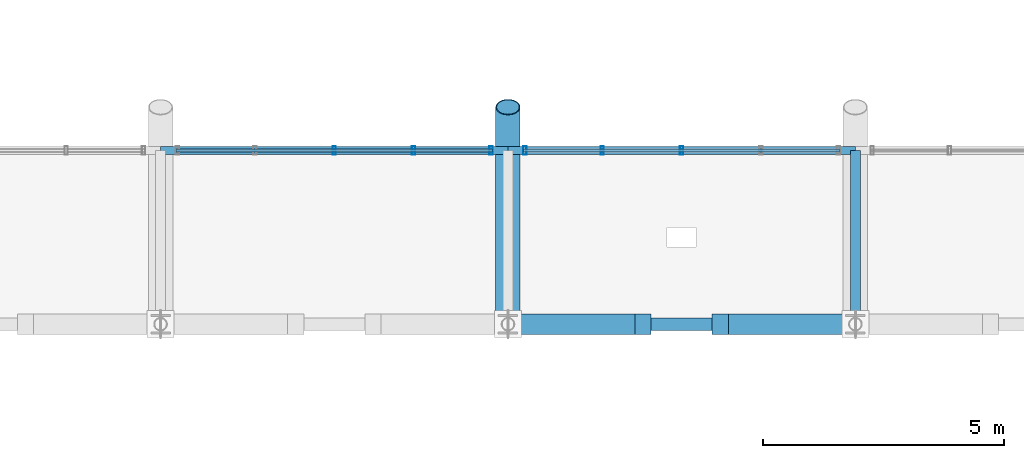
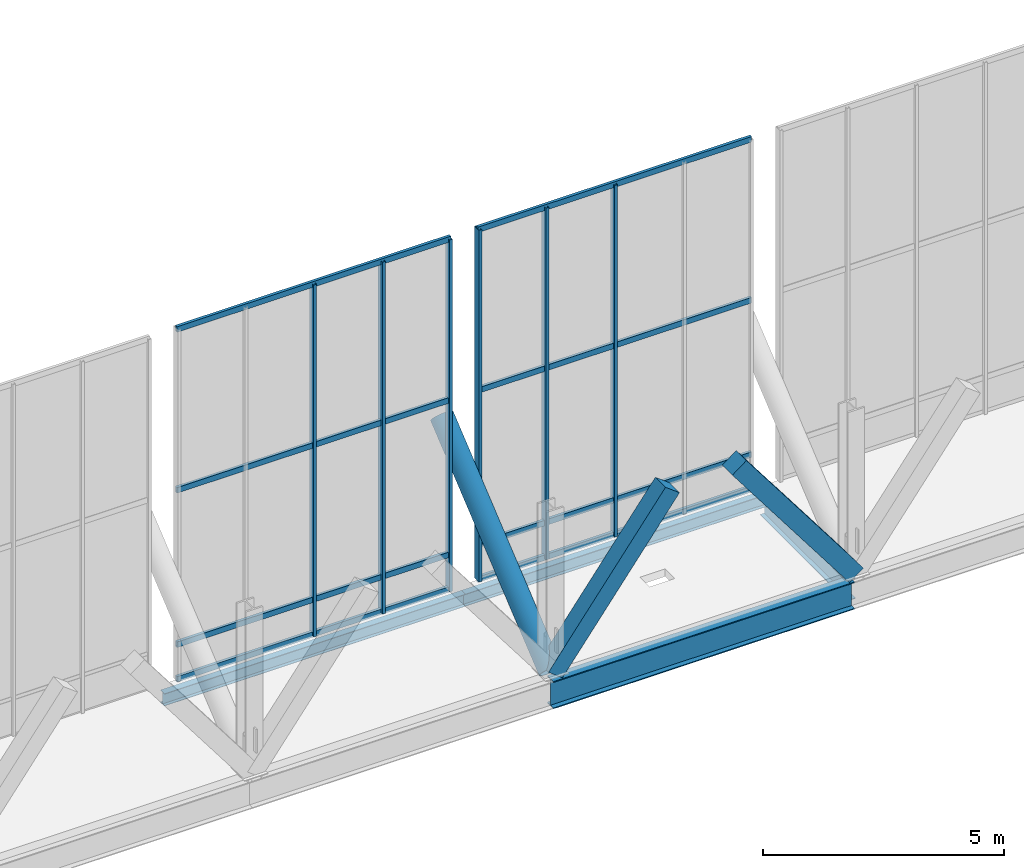
# One storey, part 31 of 102: 17 members, 4 beams, 2 elements without a shape of their own.
"""IFC4 building model written with IfcOpenShell, lengths in metres."""

from ifc_helpers import new_model, si_unit, direction, frame, origin, origin_2d, place, context, subcontext, project, spatial, rectangle, hollow_rectangle, hollow_circle, i_section, extrude, material, material_profile, profile_set, type_object, element, aggregate, save


model = new_model("IFC4")

# Units and contexts
model_context = context("Model", 3, precision=1e-05, world=origin(), true_north=direction((0.0, 1.0)))
body_context = subcontext(model_context, "Body", "Model", "MODEL_VIEW")
ifc_project = project(units=[si_unit("LENGTHUNIT", "METRE"), si_unit("AREAUNIT", "SQUARE_METRE"), si_unit("VOLUMEUNIT", "CUBIC_METRE"), si_unit("PLANEANGLEUNIT", "RADIAN"), si_unit("MASSUNIT", "GRAM", prefix="KILO")], contexts=[model_context])

# Site, building, storey
site_placement = place(None, origin())
site = spatial("IfcSite", under=ifc_project, at=site_placement, CompositionType="ELEMENT")
building_placement = place(site_placement, origin())
building = spatial("IfcBuilding", under=site, at=building_placement, Name="Yarey Park Central Fire Station", CompositionType="ELEMENT")
storey_placement = place(building_placement, frame((0.0, 0.0, 6.0)))
storey = spatial("IfcBuildingStorey", under=building, at=storey_placement, Name="L02", CompositionType="ELEMENT", Elevation=6.0)

# Curtain wall, members
ifc_material_1 = material(Name="Anodized Aluminium Frame", Category="aluminium")
curtain_wall_type = type_object("IfcCurtainWallType", Name="ENV_CW_CLER_9M", PredefinedType="NOTDEFINED", material=ifc_material_1)
curtain_wall_1_placement = place(storey_placement, origin())
curtain_wall_1 = element("IfcCurtainWall", 1, at=curtain_wall_1_placement, inside=storey, type_object=curtain_wall_type, Name="CW_V2_CLER_S_07", PredefinedType="NOTDEFINED")
ifc_material_profile_1 = material_profile(ifc_material_1, hollow_rectangle(XDim=0.070068359375, YDim=0.179931640625, WallThickness=0.00390625, at=origin_2d()), Name="ALU 180x70x4")
ifc_profile_set_1 = profile_set([ifc_material_profile_1], Name="Anodized Aluminium Frame")
member_type_1 = type_object("IfcMemberType", Name="ENV_CW_MULLION", PredefinedType="MULLION", material=ifc_profile_set_1)
member_1_placement = place(storey_placement, frame((104.39990234375, 61.199951171875, 0.0), z_axis=(0.0, 0.0, 1.0), x_axis=(1.0, 0.0, 0.0)))
member_1 = element("IfcMember", 2, at=member_1_placement, type_object=member_type_1, Name="CW_V2_CLER_S_07_MUL3", PredefinedType="MULLION", context=body_context, shape_type="SweptSolid", body=[
    extrude(hollow_rectangle(XDim=0.070068359375, YDim=0.179931640625, WallThickness=0.00390625, at=origin_2d()), origin(), (0.0, 0.0, 1.0), 8.89990234375),
])
member_2_placement = place(storey_placement, frame((106.044921875, 61.199951171875, 0.0), z_axis=(0.0, 0.0, 1.0), x_axis=(1.0, 0.0, 0.0)))
member_2 = element("IfcMember", 3, at=member_2_placement, type_object=member_type_1, Name="CW_V2_CLER_S_07_MUL4", PredefinedType="MULLION", context=body_context, shape_type="SweptSolid", body=[
    extrude(hollow_rectangle(XDim=0.070068359375, YDim=0.179931640625, WallThickness=0.00390625, at=origin_2d()), origin(), (0.0, 0.0, 1.0), 8.89990234375),
])
member_3_placement = place(storey_placement, frame((107.64990234375, 61.199951171875, 0.0), z_axis=(0.0, 0.0, 1.0), x_axis=(1.0, 0.0, 0.0)))
member_3 = element("IfcMember", 4, at=member_3_placement, type_object=member_type_1, Name="CW_V2_CLER_S_07_MUL5", PredefinedType="MULLION", context=body_context, shape_type="SweptSolid", body=[
    extrude(hollow_rectangle(XDim=0.070068359375, YDim=0.179931640625, WallThickness=0.00390625, at=origin_2d()), origin(), (0.0, 0.0, 1.0), 8.89990234375),
])

curtain_wall_2_placement = place(storey_placement, origin())
curtain_wall_2 = element("IfcCurtainWall", 5, at=curtain_wall_2_placement, inside=storey, type_object=curtain_wall_type, Name="CW_V2_CLER_S_08", PredefinedType="NOTDEFINED")
member_4_placement = place(storey_placement, frame((108.35009765625, 61.199951171875, 0.0), z_axis=(0.0, 0.0, 1.0), x_axis=(1.0, 0.0, 0.0)))
member_4 = element("IfcMember", 6, at=member_4_placement, type_object=member_type_1, Name="CW_V2_CLER_S_08_MUL1", PredefinedType="MULLION", context=body_context, shape_type="SweptSolid", body=[
    extrude(hollow_rectangle(XDim=0.070068359375, YDim=0.179931640625, WallThickness=0.00390625, at=origin_2d()), origin(), (0.0, 0.0, 1.0), 8.89990234375),
])
member_5_placement = place(storey_placement, frame((109.955078125, 61.199951171875, 0.0), z_axis=(0.0, 0.0, 1.0), x_axis=(1.0, 0.0, 0.0)))
member_5 = element("IfcMember", 7, at=member_5_placement, type_object=member_type_1, Name="CW_V2_CLER_S_08_MUL2", PredefinedType="MULLION", context=body_context, shape_type="SweptSolid", body=[
    extrude(hollow_rectangle(XDim=0.070068359375, YDim=0.179931640625, WallThickness=0.00390625, at=origin_2d()), origin(), (0.0, 0.0, 1.0), 8.89990234375),
])
member_6_placement = place(storey_placement, frame((111.60009765625, 61.199951171875, 0.0), z_axis=(0.0, 0.0, 1.0), x_axis=(1.0, 0.0, 0.0)))
member_6 = element("IfcMember", 8, at=member_6_placement, type_object=member_type_1, Name="CW_V2_CLER_S_08_MUL3", PredefinedType="MULLION", context=body_context, shape_type="SweptSolid", body=[
    extrude(hollow_rectangle(XDim=0.070068359375, YDim=0.179931640625, WallThickness=0.00390625, at=origin_2d()), origin(), (0.0, 0.0, 1.0), 8.89990234375),
])

# Member
ifc_material_profile_2 = material_profile(ifc_material_1, hollow_rectangle(XDim=0.070068359375, YDim=0.139892578125, WallThickness=0.00390625, at=origin_2d()), Name="ALU 140x70x4")
ifc_profile_set_2 = profile_set([ifc_material_profile_2], Name="Anodized Aluminium Frame")
member_type_2 = type_object("IfcMemberType", Name="ENV_CW_TRANSOM", PredefinedType="USERDEFINED", material=ifc_profile_set_2)
member_7_placement = place(storey_placement, frame((101.125, 61.199951171875, 0.02490234375), z_axis=(1.0, 0.0, 0.0), x_axis=(0.0, 1.0, 0.0)))
member_7 = element("IfcMember", 9, at=member_7_placement, type_object=member_type_2, Name="CW_V2_CLER_S_07_TRN1", ObjectType="TRANSOM", PredefinedType="USERDEFINED", context=body_context, shape_type="SweptSolid", body=[
    extrude(hollow_rectangle(XDim=0.070068359375, YDim=0.139892578125, WallThickness=0.00390625, at=origin_2d()), origin(), (0.0, 0.0, 1.0), 6.550048828125),
])

member_8_placement = place(storey_placement, frame((101.125, 61.199951171875, 0.89990234375), z_axis=(1.0, 0.0, 0.0), x_axis=(0.0, 1.0, 0.0)))
member_8 = element("IfcMember", 10, at=member_8_placement, type_object=member_type_2, Name="CW_V2_CLER_S_07_TRN2", ObjectType="TRANSOM", PredefinedType="USERDEFINED", context=body_context, shape_type="SweptSolid", body=[
    extrude(hollow_rectangle(XDim=0.070068359375, YDim=0.139892578125, WallThickness=0.00390625, at=origin_2d()), origin(), (0.0, 0.0, 1.0), 6.550048828125),
])

member_9_placement = place(storey_placement, frame((101.125, 61.199951171875, 4.805908203125), z_axis=(1.0, 0.0, 0.0), x_axis=(0.0, 1.0, 0.0)))
member_9 = element("IfcMember", 11, at=member_9_placement, type_object=member_type_2, Name="CW_V2_CLER_S_07_TRN3", ObjectType="TRANSOM", PredefinedType="USERDEFINED", context=body_context, shape_type="SweptSolid", body=[
    extrude(hollow_rectangle(XDim=0.070068359375, YDim=0.139892578125, WallThickness=0.00390625, at=origin_2d()), origin(), (0.0, 0.0, 1.0), 6.550048828125),
])

member_10_placement = place(storey_placement, frame((101.125, 61.199951171875, 8.875), z_axis=(1.0, 0.0, 0.0), x_axis=(0.0, 1.0, 0.0)))
member_10 = element("IfcMember", 12, at=member_10_placement, type_object=member_type_2, Name="CW_V2_CLER_S_07_TRN4", ObjectType="TRANSOM", PredefinedType="USERDEFINED", context=body_context, shape_type="SweptSolid", body=[
    extrude(hollow_rectangle(XDim=0.070068359375, YDim=0.139892578125, WallThickness=0.00390625, at=origin_2d()), origin(), (0.0, 0.0, 1.0), 6.550048828125),
])

aggregate(curtain_wall_1, [member_1, member_2, member_3, member_7, member_8, member_9, member_10])

member_11_placement = place(storey_placement, frame((108.324951171875, 61.199951171875, 0.02490234375), z_axis=(1.0, 0.0, 0.0), x_axis=(0.0, 1.0, 0.0)))
member_11 = element("IfcMember", 13, at=member_11_placement, type_object=member_type_2, Name="CW_V2_CLER_S_08_TRN1", ObjectType="TRANSOM", PredefinedType="USERDEFINED", context=body_context, shape_type="SweptSolid", body=[
    extrude(hollow_rectangle(XDim=0.070068359375, YDim=0.139892578125, WallThickness=0.00390625, at=origin_2d()), origin(), (0.0, 0.0, 1.0), 6.550048828125),
])

member_12_placement = place(storey_placement, frame((108.324951171875, 61.199951171875, 0.89990234375), z_axis=(1.0, 0.0, 0.0), x_axis=(0.0, 1.0, 0.0)))
member_12 = element("IfcMember", 14, at=member_12_placement, type_object=member_type_2, Name="CW_V2_CLER_S_08_TRN2", ObjectType="TRANSOM", PredefinedType="USERDEFINED", context=body_context, shape_type="SweptSolid", body=[
    extrude(hollow_rectangle(XDim=0.070068359375, YDim=0.139892578125, WallThickness=0.00390625, at=origin_2d()), origin(), (0.0, 0.0, 1.0), 6.550048828125),
])

member_13_placement = place(storey_placement, frame((108.324951171875, 61.199951171875, 4.805908203125), z_axis=(1.0, 0.0, 0.0), x_axis=(0.0, 1.0, 0.0)))
member_13 = element("IfcMember", 15, at=member_13_placement, type_object=member_type_2, Name="CW_V2_CLER_S_08_TRN3", ObjectType="TRANSOM", PredefinedType="USERDEFINED", context=body_context, shape_type="SweptSolid", body=[
    extrude(hollow_rectangle(XDim=0.070068359375, YDim=0.139892578125, WallThickness=0.00390625, at=origin_2d()), origin(), (0.0, 0.0, 1.0), 6.550048828125),
])

member_14_placement = place(storey_placement, frame((108.324951171875, 61.199951171875, 8.875), z_axis=(1.0, 0.0, 0.0), x_axis=(0.0, 1.0, 0.0)))
member_14 = element("IfcMember", 16, at=member_14_placement, type_object=member_type_2, Name="CW_V2_CLER_S_08_TRN4", ObjectType="TRANSOM", PredefinedType="USERDEFINED", context=body_context, shape_type="SweptSolid", body=[
    extrude(hollow_rectangle(XDim=0.070068359375, YDim=0.139892578125, WallThickness=0.00390625, at=origin_2d()), origin(), (0.0, 0.0, 1.0), 6.550048828125),
])

aggregate(curtain_wall_2, [member_4, member_5, member_6, member_11, member_12, member_13, member_14])

# Beams
ifc_material_2 = material(Name="Steel ASTM A992 Gr. 50", Category="steel")
ifc_material_profile_3 = material_profile(ifc_material_2, i_section(OverallWidth=0.208984375, OverallDepth=0.532958984375, WebThickness=0.01025390625, FlangeThickness=0.015625, at=origin_2d()), Name="W530x92")
ifc_profile_set_3 = profile_set([ifc_material_profile_3], Name="Steel ASTM A992 Gr. 50")
beam_type_1 = type_object("IfcBeamType", Name="STR_BM_W530", PredefinedType="BEAM", material=ifc_profile_set_3)
beam_1_placement = place(storey_placement, frame((115.199951171875, 57.60009765625, -0.46142578125), z_axis=(0.0, 1.0, 0.0), x_axis=(-1.0, 0.0, 0.0)))
element("IfcBeam", 17, at=beam_1_placement, inside=storey, type_object=beam_type_1, Name="EAVE RIB S 08", PredefinedType="BEAM", context=body_context, shape_type="SweptSolid", body=[
    extrude(i_section(OverallWidth=0.208984375, OverallDepth=0.532958984375, WebThickness=0.01025390625, FlangeThickness=0.015625, at=origin_2d()), origin(), (0.0, 0.0, 1.0), 3.599853515625),
])
ifc_material_profile_4 = material_profile(ifc_material_2, i_section(OverallWidth=0.256103515625, OverallDepth=0.693115234375, WebThickness=0.014404296875, FlangeThickness=0.023681640625, at=origin_2d()), Name="W690x170")
ifc_profile_set_4 = profile_set([ifc_material_profile_4], Name="Steel ASTM A992 Gr. 50")
beam_type_2 = type_object("IfcBeamType", Name="STR_BM_W690", PredefinedType="BEAM", material=ifc_profile_set_4)
beam_2_placement = place(storey_placement, frame((108.0, 57.60009765625, -0.54150390625), z_axis=(1.0, 0.0, 0.0), x_axis=(0.0, 1.0, 0.0)))
element("IfcBeam", 18, at=beam_2_placement, inside=storey, type_object=beam_type_2, Name="BMX L02 Y576 X1080", PredefinedType="BEAM", context=body_context, shape_type="SweptSolid", body=[
    extrude(i_section(OverallWidth=0.256103515625, OverallDepth=0.693115234375, WebThickness=0.014404296875, FlangeThickness=0.023681640625, at=origin_2d()), origin(), (0.0, 0.0, 1.0), 7.199951171875),
])

# Member
ifc_material_3 = material(Name="Steel ASTM A500 Gr. C", Category="steel")
ifc_material_profile_5 = material_profile(ifc_material_3, hollow_circle(Radius=0.25390625, WallThickness=0.02001953125, at=origin_2d()), Name="CHS 508x20")
ifc_profile_set_5 = profile_set([ifc_material_profile_5], Name="Steel ASTM A500 Gr. C")
member_type_3 = type_object("IfcMemberType", Name="STR_CHORD_CHS508", PredefinedType="CHORD", material=ifc_profile_set_5)
member_15_placement = place(storey_placement, frame((108.0, 57.60009765625, 0.0), z_axis=(0.0, 0.770847459396, 0.637019775473), x_axis=(-1.0, 0.0, 0.0)))
element("IfcMember", 19, at=member_15_placement, inside=storey, type_object=member_type_3, Name="Arched Roof Truss ART_08 Bottom Chord 1", PredefinedType="CHORD", context=body_context, shape_type="SweptSolid", body=[
    extrude(hollow_circle(Radius=0.25390625, WallThickness=0.02001953125, at=origin_2d()), origin(), (0.0, 0.0, 1.0), 5.837646484375),
])

# Beams
ifc_material_profile_6 = material_profile(ifc_material_2, i_section(OverallWidth=0.1650390625, OverallDepth=0.31005859375, WebThickness=0.005859375, FlangeThickness=0.009765625, at=origin_2d()), Name="W310x39")
ifc_profile_set_6 = profile_set([ifc_material_profile_6], Name="Steel ASTM A992 Gr. 50")
beam_type_3 = type_object("IfcBeamType", Name="STR_SPN_W310", PredefinedType="SPANDREL", material=ifc_profile_set_6)
for number, where, z_axis, x_axis, name in (
    (20, (100.800048828125, 61.199951171875, -0.35009765625), (1.0, 0.0, 0.0), (0.0, 1.0, 0.0), "EAVE EDG S 06"),
    (21, (108.0, 61.199951171875, -0.35009765625), (1.0, 0.0, 0.0), (0.0, 1.0, 0.0), "EAVE EDG S 07"),
):
    element("IfcBeam", number, at=place(storey_placement, frame(where, z_axis=z_axis, x_axis=x_axis)), inside=storey, type_object=beam_type_3, Name=name, PredefinedType="SPANDREL", context=body_context, shape_type="SweptSolid", body=[
        extrude(i_section(OverallWidth=0.1650390625, OverallDepth=0.31005859375, WebThickness=0.005859375, FlangeThickness=0.009765625, at=origin_2d()), origin(), (0.0, 0.0, 1.0), 7.199951171875),
    ])

# Members
ifc_material_4 = material(Name="Glulam GL28h", Category="wood")
ifc_material_profile_7 = material_profile(ifc_material_4, rectangle(XDim=0.419921875, YDim=0.419921875, at=origin_2d()), Name="GL 420x420")
ifc_profile_set_7 = profile_set([ifc_material_profile_7], Name="Glulam GL28h")
member_type_4 = type_object("IfcMemberType", Name="STR_STRUT_GL420", PredefinedType="STRUT", material=ifc_profile_set_7)
for number, where, z_axis, x_axis, name in (
    (22, (108.0, 57.60009765625, 0.02001953125), (0.603454425048, 0.0, 0.797397489895), (0.0, 1.0, 0.0), "Raked Glulam Strut RGS-049"),
    (23, (115.199951171875, 57.60009765625, 0.02001953125), (-0.603454425048, 0.0, 0.797397489895), (0.0, -1.0, 0.0), "Raked Glulam Strut RGS-054"),
):
    element("IfcMember", number, at=place(storey_placement, frame(where, z_axis=z_axis, x_axis=x_axis)), inside=storey, type_object=member_type_4, Name=name, PredefinedType="STRUT", context=body_context, shape_type="SweptSolid", body=[
        extrude(rectangle(XDim=0.419921875, YDim=0.419921875, at=origin_2d()), origin(), (0.0, 0.0, 1.0), 4.64013671875),
    ])

save(model, "model.ifc")
